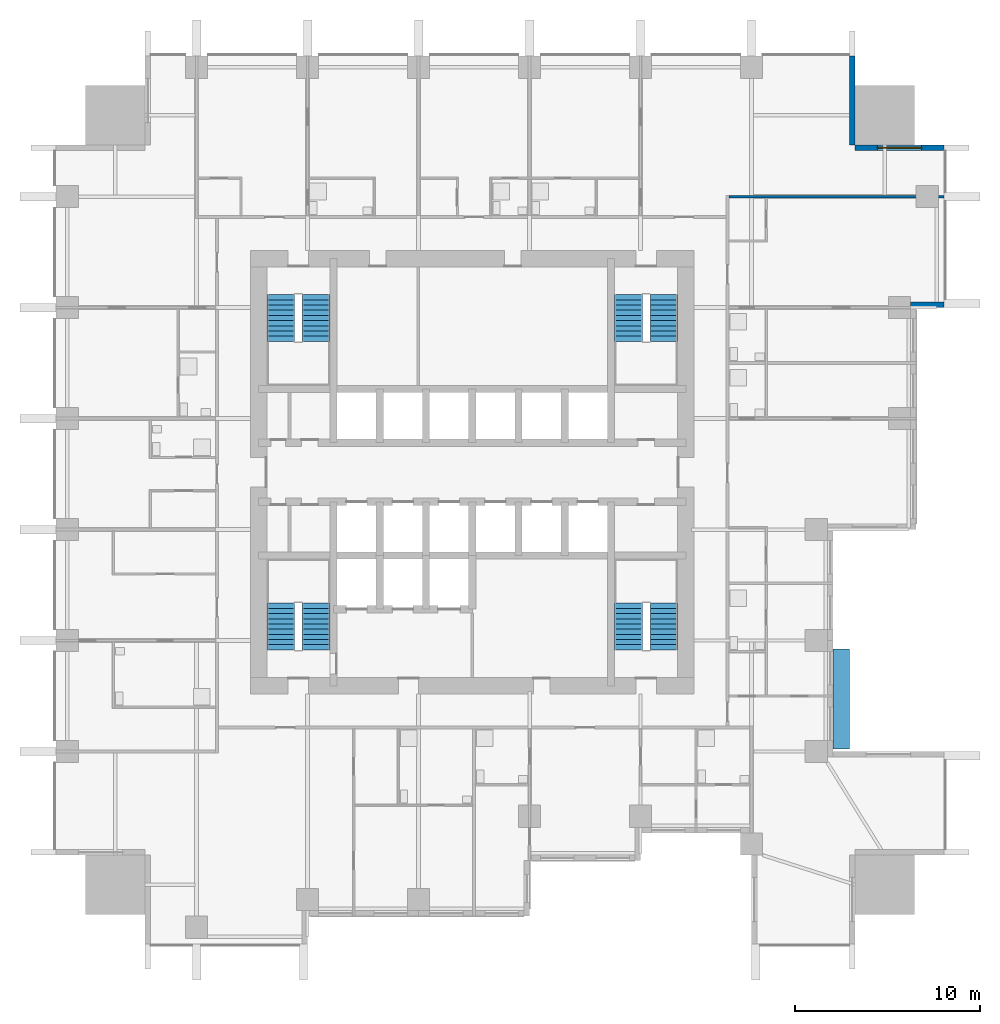
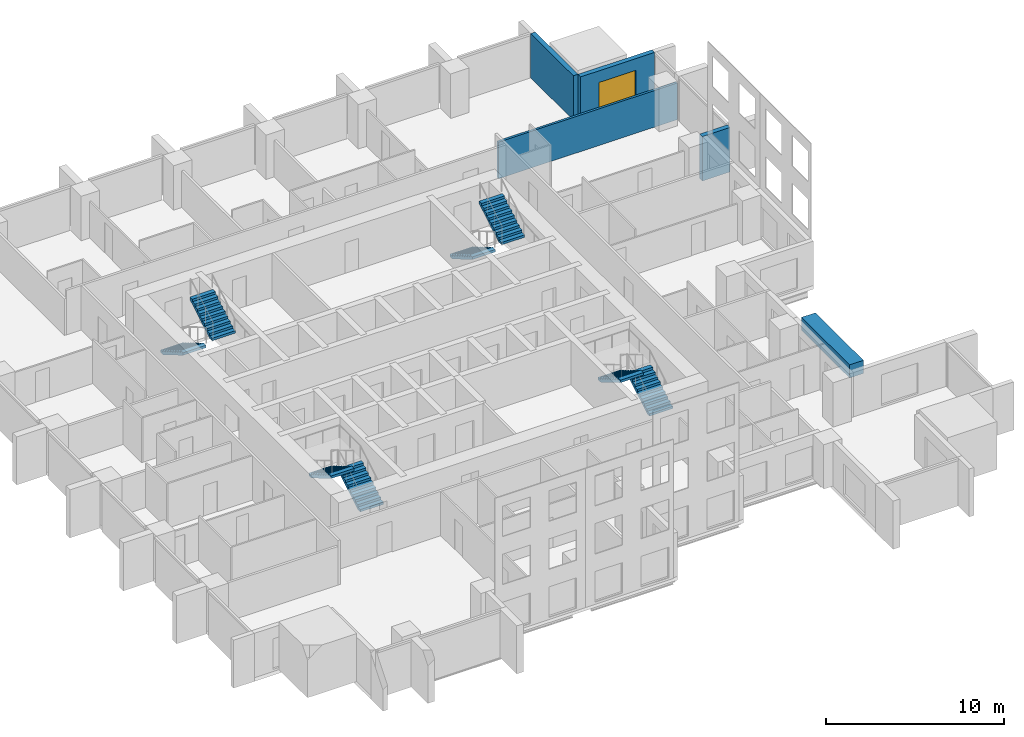
# One storey, part 8 of 11: 8 stair flights, 4 walls, 1 discrete accessory, 1 window, 1 opening, 4 elements without a shape of their own.
"""IFC4 building model written with IfcOpenShell, lengths in metres."""

from ifc_helpers import new_model, si_unit, direction, frame, frame_2d, origin, origin_2d, place, context, subcontext, project, spatial, polyline, rectangle, outline, extrude, material, layer, layer_set, type_object, element, fill, aggregate, save


model = new_model("IFC4")

# Units and contexts
model_context = context("Model", 3, precision=1e-05, world=origin(), true_north=direction((0.0, 1.0)))
body_context = subcontext(model_context, "Body", "Model", "MODEL_VIEW")
ifc_project = project(units=[si_unit("LENGTHUNIT", "METRE"), si_unit("AREAUNIT", "SQUARE_METRE"), si_unit("VOLUMEUNIT", "CUBIC_METRE"), si_unit("PLANEANGLEUNIT", "RADIAN"), si_unit("MASSUNIT", "GRAM", prefix="KILO")], contexts=[model_context])

# Site, building, storey
site_placement = place(None, origin())
site = spatial("IfcSite", under=ifc_project, at=site_placement, CompositionType="ELEMENT")
building_placement = place(site_placement, origin())
building = spatial("IfcBuilding", under=site, at=building_placement, Name="Amberfall Residences", CompositionType="ELEMENT")
storey_placement = place(building_placement, frame((0.0, 0.0, 59.800048828125)))
storey = spatial("IfcBuildingStorey", under=building, at=storey_placement, Name="L16", CompositionType="ELEMENT", Elevation=59.800048828125)

# Wall
ifc_material_1 = material(Name="Pale stone cladding on insulated backing", Category="masonry")
ifc_layer_1 = layer(ifc_material_1, 0.300048828125)
ifc_layer_set_1 = layer_set([ifc_layer_1], Name="Bronze clad wall 300")
wall_type_1 = type_object("IfcWallType", Name="Bronze clad wall 300", PredefinedType="SOLIDWALL", material=ifc_layer_set_1)
wall_1_placement = place(storey_placement, frame((98.199951171875, 54.550048828125, 0.0), z_axis=(0.0, 0.0, 1.0), x_axis=(1.0, 0.0, 0.0)))
element("IfcWall", 1, at=wall_1_placement, inside=storey, type_object=wall_type_1, Name="External wall L16 E", PredefinedType="SOLIDWALL", context=body_context, shape_type="SweptSolid", body=[
    extrude(rectangle(XDim=1.800048828125, YDim=0.300048828125, at=frame_2d((0.89990234375, 0.0))), origin(), (0.0, 0.0, 1.0), 3.050048828125),
])

# Wall, opening, window
wall_2_placement = place(storey_placement, frame((100.0, 63.050048828125, 0.0), z_axis=(0.0, 0.0, 1.0), x_axis=(-1.0, 0.0, 0.0)))
wall_2 = element("IfcWall", 2, at=wall_2_placement, inside=storey, type_object=wall_type_1, Name="External wall L16 NE", PredefinedType="SOLIDWALL", context=body_context, shape_type="SweptSolid", body=[
    extrude(rectangle(XDim=4.800048828125, YDim=0.300048828125, at=frame_2d((2.39990234375, 0.0))), origin(), (0.0, 0.0, 1.0), 3.050048828125),
])
opening_placement = place(wall_2_placement, frame((1.199951171875, 0.0, 0.14990234375)))
opening = element("IfcOpeningElement", 3, at=opening_placement, cuts=wall_2, Name="Opening WN5", PredefinedType="OPENING", context=body_context, shape_type="SweptSolid", body=[
    extrude(rectangle(XDim=2.39990234375, YDim=2.10009765625, at=frame_2d((1.199951171875, 1.050048828125))), frame((0.0, 0.159912109375, 0.0), z_axis=(0.0, -1.0, 0.0), x_axis=(1.0, 0.0, 0.0)), (0.0, 0.0, 1.0), 0.320068359375),
])
ifc_material_2 = material(Name="Bronze aluminium framed glazing", Category="aluminium")
window_type = type_object("IfcWindowType", Name="Glazed opening 2400 x 2100 bronze", PartitioningType="DOUBLE_PANEL_VERTICAL", PredefinedType="WINDOW", material=ifc_material_2)
window_placement = place(opening_placement, origin())
window = element("IfcWindow", 4, at=window_placement, inside=storey, type_object=window_type, Name="Window L16 NE", OverallHeight=2.10009765625, OverallWidth=2.39990234375, PartitioningType="DOUBLE_PANEL_VERTICAL", PredefinedType="WINDOW", context=body_context, shape_type="SweptSolid", body=[
    extrude(rectangle(XDim=2.39990234375, YDim=2.10009765625, at=frame_2d((1.199951171875, 1.050048828125))), frame((0.0, 0.030029296875, 0.0), z_axis=(0.0, -1.0, 0.0), x_axis=(1.0, 0.0, 0.0)), (0.0, 0.0, 1.0), 0.06005859375),
])
fill(opening, window)

# Walls
wall_3_placement = place(storey_placement, frame((95.050048828125, 63.199951171875, 0.0), z_axis=(0.0, 0.0, 1.0), x_axis=(0.0, 1.0, 0.0)))
element("IfcWall", 5, at=wall_3_placement, inside=storey, type_object=wall_type_1, Name="External wall L16 NE", PredefinedType="SOLIDWALL", context=body_context, shape_type="SweptSolid", body=[
    extrude(rectangle(XDim=4.800048828125, YDim=0.300048828125, at=frame_2d((2.39990234375, 0.0))), origin(), (0.0, 0.0, 1.0), 3.050048828125),
])
ifc_material_3 = material(Name="Blockwork, plastered", Category="masonry")
ifc_layer_2 = layer(ifc_material_3, 0.14990234375)
ifc_layer_set_2 = layer_set([ifc_layer_2], Name="Flat separating wall 150")
wall_type_2 = type_object("IfcWallType", Name="Flat separating wall 150", PredefinedType="PARTITIONING", material=ifc_layer_set_2)
wall_4_placement = place(storey_placement, frame((88.375, 60.39990234375, 0.0), z_axis=(0.0, 0.0, 1.0), x_axis=(1.0, 0.0, 0.0)))
element("IfcWall", 6, at=wall_4_placement, inside=storey, type_object=wall_type_2, Name="Separating wall 048", PredefinedType="PARTITIONING", context=body_context, shape_type="SweptSolid", body=[
    extrude(rectangle(XDim=11.625, YDim=0.14990234375, at=frame_2d((5.8125, 0.0))), origin(), (0.0, 0.0, 1.0), 2.515869140625),
])

# Stair, stair flights
ifc_material_4 = material(Name="Concrete C40", Category="concrete")
stair_type = type_object("IfcStairType", Name="Exit stair 20 risers 165.0 mm", PredefinedType="HALF_TURN_STAIR", material=ifc_material_4)
stair_1_placement = place(storey_placement, origin())
stair_1 = element("IfcStair", 7, at=stair_1_placement, inside=storey, type_object=stair_type, Name="L16 Exit stair 1", PredefinedType="HALF_TURN_STAIR")
stair_flight_type = type_object("IfcStairFlightType", Name="Stair flight 10 risers 165.0 mm", PredefinedType="STRAIGHT", material=ifc_material_4)
stair_flight_1_placement = place(storey_placement, frame((66.050048828125, 35.89990234375, 0.0), z_axis=(0.0, 0.0, 1.0), x_axis=(0.0, 1.0, 0.0)))
stair_flight_1 = element("IfcStairFlight", 8, at=stair_flight_1_placement, type_object=stair_flight_type, Name="ST3 flight 1", NumberOfRisers=10, NumberOfTreads=9, PredefinedType="STRAIGHT", RiserHeight=0.165, TreadLength=0.28, context=body_context, shape_type="SweptSolid", body=[
    extrude(outline(polyline([(0.0, 0.0), (0.0, 0.1650390625), (0.280029296875, 0.1650390625), (0.280029296875, 0.330078125), (0.56005859375, 0.330078125), (0.56005859375, 0.4951171875), (0.840087890625, 0.4951171875), (0.840087890625, 0.659912109375), (1.1201171875, 0.659912109375), (1.1201171875, 0.824951171875), (1.39990234375, 0.824951171875), (1.39990234375, 0.989990234375), (1.679931640625, 0.989990234375), (1.679931640625, 1.155029296875), (1.9599609375, 1.155029296875), (1.9599609375, 1.320068359375), (2.239990234375, 1.320068359375), (2.239990234375, 1.485107421875), (2.52001953125, 1.485107421875), (2.52001953125, 1.64990234375), (2.52001953125, 1.31103515625), (0.295166015625, 0.0), (0.0, 0.0)])), frame((0.0, 0.75, 0.0), z_axis=(0.0, -1.0, 0.0), x_axis=(1.0, 0.0, 0.0)), (0.0, 0.0, 1.0), 1.5),
])
stair_flight_2_placement = place(storey_placement, frame((64.14990234375, 38.419921875, 1.64990234375), z_axis=(0.0, 0.0, 1.0), x_axis=(0.0, -1.0, 0.0)))
stair_flight_2 = element("IfcStairFlight", 9, at=stair_flight_2_placement, type_object=stair_flight_type, Name="ST3 flight 2", NumberOfRisers=10, NumberOfTreads=9, PredefinedType="STRAIGHT", RiserHeight=0.165, TreadLength=0.28, context=body_context, shape_type="SweptSolid", body=[
    extrude(outline(polyline([(0.0, 0.0), (0.0, 0.1650390625), (0.280029296875, 0.1650390625), (0.280029296875, 0.330078125), (0.56005859375, 0.330078125), (0.56005859375, 0.4951171875), (0.840087890625, 0.4951171875), (0.840087890625, 0.659912109375), (1.1201171875, 0.659912109375), (1.1201171875, 0.824951171875), (1.39990234375, 0.824951171875), (1.39990234375, 0.989990234375), (1.679931640625, 0.989990234375), (1.679931640625, 1.155029296875), (1.9599609375, 1.155029296875), (1.9599609375, 1.320068359375), (2.239990234375, 1.320068359375), (2.239990234375, 1.485107421875), (2.52001953125, 1.485107421875), (2.52001953125, 1.64990234375), (2.52001953125, 1.31103515625), (0.295166015625, 0.0), (0.0, 0.0)])), frame((0.0, 0.75, 0.0), z_axis=(0.0, -1.0, 0.0), x_axis=(1.0, 0.0, 0.0)), (0.0, 0.0, 1.0), 1.5),
])
aggregate(stair_1, [stair_flight_1, stair_flight_2])

stair_2_placement = place(storey_placement, origin())
stair_2 = element("IfcStair", 10, at=stair_2_placement, inside=storey, type_object=stair_type, Name="L16 Exit stair 2", PredefinedType="HALF_TURN_STAIR")
stair_flight_3_placement = place(storey_placement, frame((84.85009765625, 35.89990234375, 0.0), z_axis=(0.0, 0.0, 1.0), x_axis=(0.0, 1.0, 0.0)))
stair_flight_3 = element("IfcStairFlight", 11, at=stair_flight_3_placement, type_object=stair_flight_type, Name="ST3 flight 1", NumberOfRisers=10, NumberOfTreads=9, PredefinedType="STRAIGHT", RiserHeight=0.165, TreadLength=0.28, context=body_context, shape_type="SweptSolid", body=[
    extrude(outline(polyline([(0.0, 0.0), (0.0, 0.1650390625), (0.280029296875, 0.1650390625), (0.280029296875, 0.330078125), (0.56005859375, 0.330078125), (0.56005859375, 0.4951171875), (0.840087890625, 0.4951171875), (0.840087890625, 0.659912109375), (1.1201171875, 0.659912109375), (1.1201171875, 0.824951171875), (1.39990234375, 0.824951171875), (1.39990234375, 0.989990234375), (1.679931640625, 0.989990234375), (1.679931640625, 1.155029296875), (1.9599609375, 1.155029296875), (1.9599609375, 1.320068359375), (2.239990234375, 1.320068359375), (2.239990234375, 1.485107421875), (2.52001953125, 1.485107421875), (2.52001953125, 1.64990234375), (2.52001953125, 1.31103515625), (0.295166015625, 0.0), (0.0, 0.0)])), frame((0.0, 0.75, 0.0), z_axis=(0.0, -1.0, 0.0), x_axis=(1.0, 0.0, 0.0)), (0.0, 0.0, 1.0), 1.5),
])
stair_flight_4_placement = place(storey_placement, frame((82.949951171875, 38.419921875, 1.64990234375), z_axis=(0.0, 0.0, 1.0), x_axis=(0.0, -1.0, 0.0)))
stair_flight_4 = element("IfcStairFlight", 12, at=stair_flight_4_placement, type_object=stair_flight_type, Name="ST3 flight 2", NumberOfRisers=10, NumberOfTreads=9, PredefinedType="STRAIGHT", RiserHeight=0.165, TreadLength=0.28, context=body_context, shape_type="SweptSolid", body=[
    extrude(outline(polyline([(0.0, 0.0), (0.0, 0.1650390625), (0.280029296875, 0.1650390625), (0.280029296875, 0.330078125), (0.56005859375, 0.330078125), (0.56005859375, 0.4951171875), (0.840087890625, 0.4951171875), (0.840087890625, 0.659912109375), (1.1201171875, 0.659912109375), (1.1201171875, 0.824951171875), (1.39990234375, 0.824951171875), (1.39990234375, 0.989990234375), (1.679931640625, 0.989990234375), (1.679931640625, 1.155029296875), (1.9599609375, 1.155029296875), (1.9599609375, 1.320068359375), (2.239990234375, 1.320068359375), (2.239990234375, 1.485107421875), (2.52001953125, 1.485107421875), (2.52001953125, 1.64990234375), (2.52001953125, 1.31103515625), (0.295166015625, 0.0), (0.0, 0.0)])), frame((0.0, 0.75, 0.0), z_axis=(0.0, -1.0, 0.0), x_axis=(1.0, 0.0, 0.0)), (0.0, 0.0, 1.0), 1.5),
])
aggregate(stair_2, [stair_flight_3, stair_flight_4])

stair_3_placement = place(storey_placement, origin())
stair_3 = element("IfcStair", 13, at=stair_3_placement, inside=storey, type_object=stair_type, Name="L16 Exit stair 3", PredefinedType="HALF_TURN_STAIR")
stair_flight_5_placement = place(storey_placement, frame((82.949951171875, 55.10009765625, 0.0), z_axis=(0.0, 0.0, 1.0), x_axis=(0.0, -1.0, 0.0)))
stair_flight_5 = element("IfcStairFlight", 14, at=stair_flight_5_placement, type_object=stair_flight_type, Name="ST3 flight 1", NumberOfRisers=10, NumberOfTreads=9, PredefinedType="STRAIGHT", RiserHeight=0.165, TreadLength=0.28, context=body_context, shape_type="SweptSolid", body=[
    extrude(outline(polyline([(0.0, 0.0), (0.0, 0.1650390625), (0.280029296875, 0.1650390625), (0.280029296875, 0.330078125), (0.56005859375, 0.330078125), (0.56005859375, 0.4951171875), (0.840087890625, 0.4951171875), (0.840087890625, 0.659912109375), (1.1201171875, 0.659912109375), (1.1201171875, 0.824951171875), (1.39990234375, 0.824951171875), (1.39990234375, 0.989990234375), (1.679931640625, 0.989990234375), (1.679931640625, 1.155029296875), (1.9599609375, 1.155029296875), (1.9599609375, 1.320068359375), (2.239990234375, 1.320068359375), (2.239990234375, 1.485107421875), (2.52001953125, 1.485107421875), (2.52001953125, 1.64990234375), (2.52001953125, 1.31103515625), (0.295166015625, 0.0), (0.0, 0.0)])), frame((0.0, 0.75, 0.0), z_axis=(0.0, -1.0, 0.0), x_axis=(1.0, 0.0, 0.0)), (0.0, 0.0, 1.0), 1.5),
])
stair_flight_6_placement = place(storey_placement, frame((84.85009765625, 52.580078125, 1.64990234375), z_axis=(0.0, 0.0, 1.0), x_axis=(0.0, 1.0, 0.0)))
stair_flight_6 = element("IfcStairFlight", 15, at=stair_flight_6_placement, type_object=stair_flight_type, Name="ST3 flight 2", NumberOfRisers=10, NumberOfTreads=9, PredefinedType="STRAIGHT", RiserHeight=0.165, TreadLength=0.28, context=body_context, shape_type="SweptSolid", body=[
    extrude(outline(polyline([(0.0, 0.0), (0.0, 0.1650390625), (0.280029296875, 0.1650390625), (0.280029296875, 0.330078125), (0.56005859375, 0.330078125), (0.56005859375, 0.4951171875), (0.840087890625, 0.4951171875), (0.840087890625, 0.659912109375), (1.1201171875, 0.659912109375), (1.1201171875, 0.824951171875), (1.39990234375, 0.824951171875), (1.39990234375, 0.989990234375), (1.679931640625, 0.989990234375), (1.679931640625, 1.155029296875), (1.9599609375, 1.155029296875), (1.9599609375, 1.320068359375), (2.239990234375, 1.320068359375), (2.239990234375, 1.485107421875), (2.52001953125, 1.485107421875), (2.52001953125, 1.64990234375), (2.52001953125, 1.31103515625), (0.295166015625, 0.0), (0.0, 0.0)])), frame((0.0, 0.75, 0.0), z_axis=(0.0, -1.0, 0.0), x_axis=(1.0, 0.0, 0.0)), (0.0, 0.0, 1.0), 1.5),
])
aggregate(stair_3, [stair_flight_5, stair_flight_6])

stair_4_placement = place(storey_placement, origin())
stair_4 = element("IfcStair", 16, at=stair_4_placement, inside=storey, type_object=stair_type, Name="L16 Exit stair 4", PredefinedType="HALF_TURN_STAIR")
stair_flight_7_placement = place(storey_placement, frame((64.14990234375, 55.10009765625, 0.0), z_axis=(0.0, 0.0, 1.0), x_axis=(0.0, -1.0, 0.0)))
stair_flight_7 = element("IfcStairFlight", 17, at=stair_flight_7_placement, type_object=stair_flight_type, Name="ST3 flight 1", NumberOfRisers=10, NumberOfTreads=9, PredefinedType="STRAIGHT", RiserHeight=0.165, TreadLength=0.28, context=body_context, shape_type="SweptSolid", body=[
    extrude(outline(polyline([(0.0, 0.0), (0.0, 0.1650390625), (0.280029296875, 0.1650390625), (0.280029296875, 0.330078125), (0.56005859375, 0.330078125), (0.56005859375, 0.4951171875), (0.840087890625, 0.4951171875), (0.840087890625, 0.659912109375), (1.1201171875, 0.659912109375), (1.1201171875, 0.824951171875), (1.39990234375, 0.824951171875), (1.39990234375, 0.989990234375), (1.679931640625, 0.989990234375), (1.679931640625, 1.155029296875), (1.9599609375, 1.155029296875), (1.9599609375, 1.320068359375), (2.239990234375, 1.320068359375), (2.239990234375, 1.485107421875), (2.52001953125, 1.485107421875), (2.52001953125, 1.64990234375), (2.52001953125, 1.31103515625), (0.295166015625, 0.0), (0.0, 0.0)])), frame((0.0, 0.75, 0.0), z_axis=(0.0, -1.0, 0.0), x_axis=(1.0, 0.0, 0.0)), (0.0, 0.0, 1.0), 1.5),
])
stair_flight_8_placement = place(storey_placement, frame((66.050048828125, 52.580078125, 1.64990234375), z_axis=(0.0, 0.0, 1.0), x_axis=(0.0, 1.0, 0.0)))
stair_flight_8 = element("IfcStairFlight", 18, at=stair_flight_8_placement, type_object=stair_flight_type, Name="ST3 flight 2", NumberOfRisers=10, NumberOfTreads=9, PredefinedType="STRAIGHT", RiserHeight=0.165, TreadLength=0.28, context=body_context, shape_type="SweptSolid", body=[
    extrude(outline(polyline([(0.0, 0.0), (0.0, 0.1650390625), (0.280029296875, 0.1650390625), (0.280029296875, 0.330078125), (0.56005859375, 0.330078125), (0.56005859375, 0.4951171875), (0.840087890625, 0.4951171875), (0.840087890625, 0.659912109375), (1.1201171875, 0.659912109375), (1.1201171875, 0.824951171875), (1.39990234375, 0.824951171875), (1.39990234375, 0.989990234375), (1.679931640625, 0.989990234375), (1.679931640625, 1.155029296875), (1.9599609375, 1.155029296875), (1.9599609375, 1.320068359375), (2.239990234375, 1.320068359375), (2.239990234375, 1.485107421875), (2.52001953125, 1.485107421875), (2.52001953125, 1.64990234375), (2.52001953125, 1.31103515625), (0.295166015625, 0.0), (0.0, 0.0)])), frame((0.0, 0.75, 0.0), z_axis=(0.0, -1.0, 0.0), x_axis=(1.0, 0.0, 0.0)), (0.0, 0.0, 1.0), 1.5),
])
aggregate(stair_4, [stair_flight_7, stair_flight_8])

# Discrete accessory
discrete_accessory_placement = place(storey_placement, frame((94.449951171875, 33.25, 2.39990234375), z_axis=(0.0, 0.0, 1.0), x_axis=(0.0, 1.0, 0.0)))
element("IfcDiscreteAccessory", 19, at=discrete_accessory_placement, inside=storey, Name="Planter box L17 E3", ObjectType="PLANTER BOX", PredefinedType="USERDEFINED", context=body_context, shape_type="SweptSolid", body=[
    extrude(rectangle(XDim=5.39990234375, YDim=0.89990234375, at=origin_2d()), origin(), (0.0, 0.0, 1.0), 0.89990234375),
])

save(model, "model.ifc")
